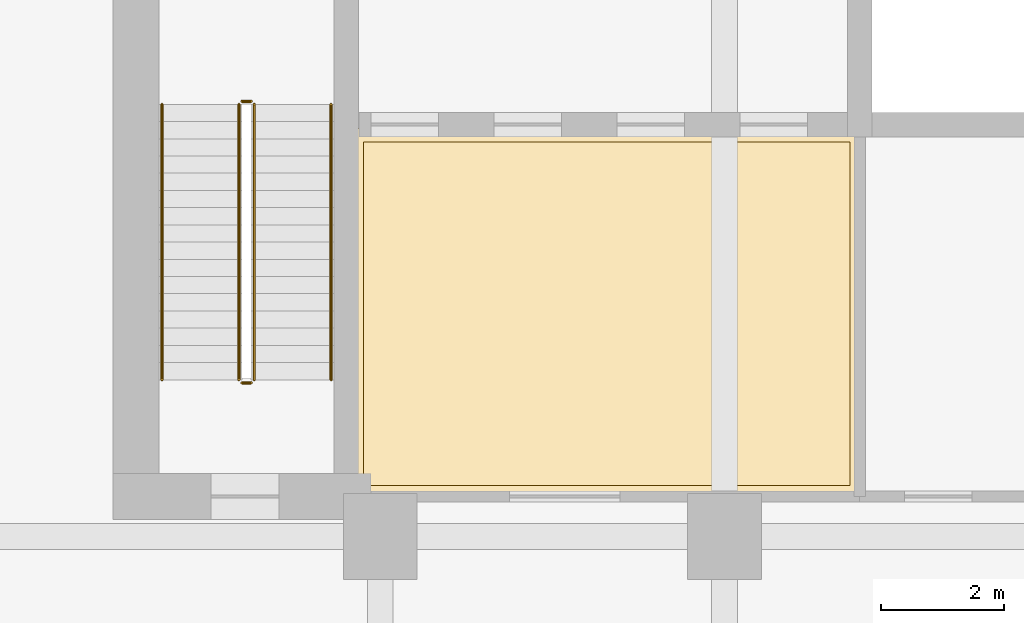
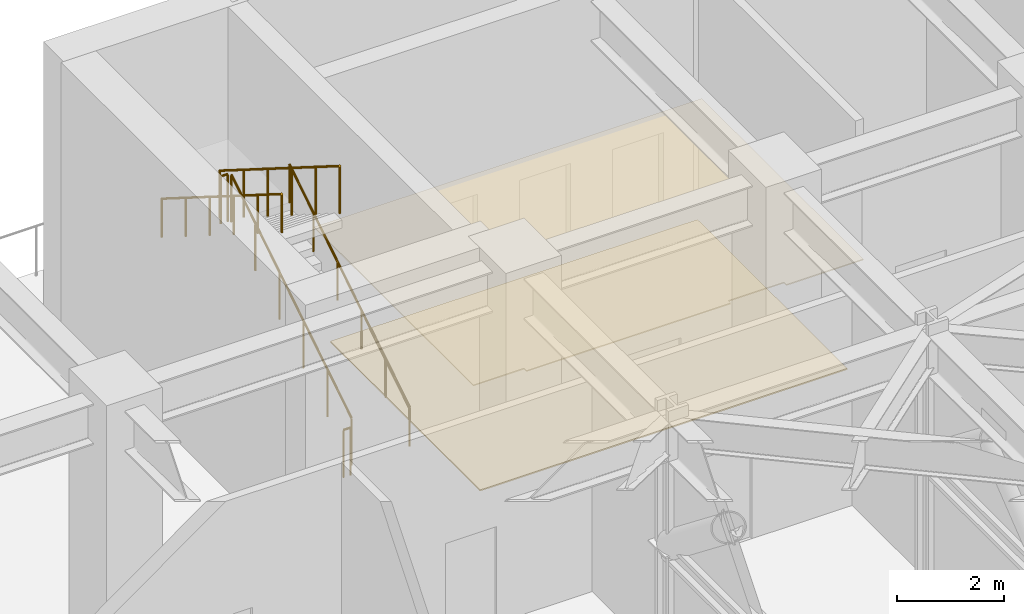
# One storey, part 10 of 12: 6 railings, 2 coverings.
"""IFC4 building model written with IfcOpenShell, lengths in metres."""

from ifc_helpers import new_model, si_unit, direction, frame, origin, origin_2d, place, context, subcontext, project, spatial, polyline, circle, outline, extrude, material, layer, layer_set, type_object, element, save


model = new_model("IFC4")

# Units and contexts
model_context = context("Model", 3, precision=1e-05, world=origin(), true_north=direction((0.0, 1.0)))
body_context = subcontext(model_context, "Body", "Model", "MODEL_VIEW")
ifc_project = project(units=[si_unit("LENGTHUNIT", "METRE"), si_unit("AREAUNIT", "SQUARE_METRE"), si_unit("VOLUMEUNIT", "CUBIC_METRE"), si_unit("PLANEANGLEUNIT", "RADIAN"), si_unit("MASSUNIT", "GRAM", prefix="KILO")], contexts=[model_context])

# Site, building, storey
site_placement = place(None, origin())
site = spatial("IfcSite", under=ifc_project, at=site_placement, CompositionType="ELEMENT")
building_placement = place(site_placement, origin())
building = spatial("IfcBuilding", under=site, at=building_placement, Name="Kravanh Interchange Tower", CompositionType="ELEMENT")
storey_placement = place(building_placement, frame((0.0, 0.0, 85.5)))
storey = spatial("IfcBuildingStorey", under=building, at=storey_placement, Name="L20", CompositionType="ELEMENT", Elevation=85.5)

# Coverings
ifc_material_1 = material(Name="Cementitious Terrazzo Tile")
ifc_layer_1 = layer(ifc_material_1, 0.030029296875)
ifc_layer_set_1 = layer_set([ifc_layer_1], Name="Honed Terrazzo Lobby Flooring 30mm")
covering_type_1 = type_object("IfcCoveringType", Name="Honed Terrazzo Lobby Flooring 30mm", PredefinedType="FLOORING", material=ifc_layer_set_1)
covering_1_placement = place(storey_placement, origin())
element("IfcCovering", 1, at=covering_1_placement, inside=storey, type_object=covering_type_1, Name="L20 Low-Rise Lift Lobby Floor Finish", PredefinedType="FLOORING", context=body_context, shape_type="SweptSolid", body=[
    extrude(outline(polyline([(26.929931640625, 43.77001953125), (34.840087890625, 43.77001953125), (34.840087890625, 38.179931640625), (26.929931640625, 38.179931640625), (26.929931640625, 43.77001953125)])), origin(), (0.0, 0.0, 1.0), 0.030029296875),
])
ifc_material_2 = material(Name="Acoustic Mineral Fibre Tile on Aluminium Grid", Category="aluminium")
ifc_layer_2 = layer(ifc_material_2, 0.02490234375)
ifc_layer_set_2 = layer_set([ifc_layer_2], Name="Perforated Acoustic Mineral Ceiling 25mm")
covering_type_2 = type_object("IfcCoveringType", Name="Perforated Acoustic Mineral Ceiling 25mm", PredefinedType="CEILING", material=ifc_layer_set_2)
covering_2_placement = place(storey_placement, frame((0.0, 0.0, 2.550048828125)))
element("IfcCovering", 2, at=covering_2_placement, inside=storey, type_object=covering_type_2, Name="L20 Low-Rise Lift Lobby Suspended Ceiling", PredefinedType="CEILING", context=body_context, shape_type="SweptSolid", body=[
    extrude(outline(polyline([(35.06005859375, 37.9599609375), (33.39990234375, 37.9599609375), (33.39990234375, 38.050048828125), (32.199951171875, 38.050048828125), (32.199951171875, 37.9599609375), (27.800048828125, 37.9599609375), (27.800048828125, 38.050048828125), (26.7099609375, 38.050048828125), (26.7099609375, 43.989990234375), (35.06005859375, 43.989990234375), (35.06005859375, 37.9599609375)])), origin(), (0.0, 0.0, 1.0), 0.02490234375),
])

# Railings
ifc_material_3 = material(Name="Structural Steel S355", Category="steel")
ifc_layer_3 = layer(ifc_material_3, 0.050048828125)
ifc_layer_set_3 = layer_set([ifc_layer_3], Name="Stair Well Guardrail Structural Steel S355 1100mm")
railing_type_1 = type_object("IfcRailingType", Name="Stair Well Guardrail Structural Steel S355 1100mm", PredefinedType="GUARDRAIL", material=ifc_layer_set_3)
railing_1_placement = place(storey_placement, frame((25.14990234375, 39.89990234375, 0.176513671875)))
element("IfcRailing", 3, at=railing_1_placement, inside=storey, type_object=railing_type_1, Name="L20 ST3 stair guard 1", PredefinedType="GUARDRAIL", context=body_context, shape_type="SweptSolid", body=[
    extrude(circle(Radius=0.02392578125, at=origin_2d()), frame((0.0, 0.0, 1.076171875), z_axis=(0.0, 0.845997938375, 0.533186166611), x_axis=(-1.0, 0.0, 0.0)), (0.0, 0.0, 1.0), 5.29541015625),
    extrude(circle(Radius=0.02099609375, at=origin_2d()), origin(), (0.0, 0.0, 1.0), 1.052001953125),
    extrude(circle(Radius=0.02099609375, at=origin_2d()), frame((0.0, 0.89599609375, 0.564697265625)), (0.0, 0.0, 1.0), 1.052001953125),
    extrude(circle(Radius=0.02099609375, at=origin_2d()), frame((0.0, 1.7919921875, 1.12939453125)), (0.0, 0.0, 1.0), 1.052001953125),
    extrude(circle(Radius=0.02099609375, at=origin_2d()), frame((0.0, 2.68798828125, 1.694091796875)), (0.0, 0.0, 1.0), 1.052001953125),
    extrude(circle(Radius=0.02099609375, at=origin_2d()), frame((0.0, 3.583984375, 2.2587890625)), (0.0, 0.0, 1.0), 1.052001953125),
    extrude(circle(Radius=0.02099609375, at=origin_2d()), frame((0.0, 4.47998046875, 2.823486328125)), (0.0, 0.0, 1.0), 1.052001953125),
])
railing_2_placement = place(storey_placement, frame((25.10009765625, 44.429931640625, 3.0)))
element("IfcRailing", 4, at=railing_2_placement, inside=storey, type_object=railing_type_1, Name="L20 ST3 stair guard 2", PredefinedType="GUARDRAIL", context=body_context, shape_type="SweptSolid", body=[
    extrude(circle(Radius=0.02392578125, at=origin_2d()), frame((0.0, 0.0, 1.076171875), z_axis=(-1.0, 0.0, 0.0), x_axis=(0.0, -1.0, 0.0)), (0.0, 0.0, 1.0), 0.150146484375),
    extrude(circle(Radius=0.02099609375, at=origin_2d()), origin(), (0.0, 0.0, 1.0), 1.052001953125),
    extrude(circle(Radius=0.02099609375, at=origin_2d()), frame((-0.150146484375, 0.0, 0.0)), (0.0, 0.0, 1.0), 1.052001953125),
])
railing_3_placement = place(storey_placement, frame((24.89990234375, 44.3798828125, 3.176513671875)))
element("IfcRailing", 5, at=railing_3_placement, inside=storey, type_object=railing_type_1, Name="L20 ST3 stair guard 3", PredefinedType="GUARDRAIL", context=body_context, shape_type="SweptSolid", body=[
    extrude(circle(Radius=0.02392578125, at=origin_2d()), frame((0.0, 0.0, 1.076171875), z_axis=(0.0, -0.845997938375, 0.533186166611), x_axis=(1.0, 0.0, 0.0)), (0.0, 0.0, 1.0), 5.29541015625),
    extrude(circle(Radius=0.02099609375, at=origin_2d()), origin(), (0.0, 0.0, 1.0), 1.052001953125),
    extrude(circle(Radius=0.02099609375, at=origin_2d()), frame((0.0, -0.89599609375, 0.564697265625)), (0.0, 0.0, 1.0), 1.052001953125),
    extrude(circle(Radius=0.02099609375, at=origin_2d()), frame((0.0, -1.7919921875, 1.12939453125)), (0.0, 0.0, 1.0), 1.052001953125),
    extrude(circle(Radius=0.02099609375, at=origin_2d()), frame((0.0, -2.68798828125, 1.694091796875)), (0.0, 0.0, 1.0), 1.052001953125),
    extrude(circle(Radius=0.02099609375, at=origin_2d()), frame((0.0, -3.583984375, 2.2587890625)), (0.0, 0.0, 1.0), 1.052001953125),
    extrude(circle(Radius=0.02099609375, at=origin_2d()), frame((0.0, -4.47998046875, 2.823486328125)), (0.0, 0.0, 1.0), 1.052001953125),
])
railing_4_placement = place(storey_placement, frame((25.10009765625, 39.85009765625, 0.0)))
element("IfcRailing", 6, at=railing_4_placement, inside=storey, type_object=railing_type_1, Name="L20 ST3 stair guard 4", PredefinedType="GUARDRAIL", context=body_context, shape_type="SweptSolid", body=[
    extrude(circle(Radius=0.02392578125, at=origin_2d()), frame((0.0, 0.0, 1.076171875), z_axis=(-1.0, 0.0, 0.0), x_axis=(0.0, -1.0, 0.0)), (0.0, 0.0, 1.0), 0.150146484375),
    extrude(circle(Radius=0.02099609375, at=origin_2d()), origin(), (0.0, 0.0, 1.0), 1.052001953125),
    extrude(circle(Radius=0.02099609375, at=origin_2d()), frame((-0.150146484375, 0.0, 0.0)), (0.0, 0.0, 1.0), 1.052001953125),
])
ifc_material_4 = material(Name="Stainless Steel 304", Category="steel")
ifc_layer_4 = layer(ifc_material_4, 0.044921875)
ifc_layer_set_4 = layer_set([ifc_layer_4], Name="Tubular Stair Handrail Stainless 304 900mm")
railing_type_2 = type_object("IfcRailingType", Name="Tubular Stair Handrail Stainless 304 900mm", PredefinedType="HANDRAIL", material=ifc_layer_set_4)
railing_5_placement = place(storey_placement, frame((26.39990234375, 39.89990234375, 0.176513671875)))
element("IfcRailing", 7, at=railing_5_placement, inside=storey, type_object=railing_type_2, Name="L20 ST3 stair handrail 1", PredefinedType="HANDRAIL", context=body_context, shape_type="SweptSolid", body=[
    extrude(circle(Radius=0.02392578125, at=origin_2d()), frame((0.0, 0.0, 0.8759765625), z_axis=(0.0, 0.845997938375, 0.533186166611), x_axis=(-1.0, 0.0, 0.0)), (0.0, 0.0, 1.0), 5.29541015625),
    extrude(circle(Radius=0.02099609375, at=origin_2d()), origin(), (0.0, 0.0, 1.0), 0.851806640625),
    extrude(circle(Radius=0.02099609375, at=origin_2d()), frame((0.0, 0.89599609375, 0.564697265625)), (0.0, 0.0, 1.0), 0.851806640625),
    extrude(circle(Radius=0.02099609375, at=origin_2d()), frame((0.0, 1.7919921875, 1.12939453125)), (0.0, 0.0, 1.0), 0.851806640625),
    extrude(circle(Radius=0.02099609375, at=origin_2d()), frame((0.0, 2.68798828125, 1.694091796875)), (0.0, 0.0, 1.0), 0.851806640625),
    extrude(circle(Radius=0.02099609375, at=origin_2d()), frame((0.0, 3.583984375, 2.2587890625)), (0.0, 0.0, 1.0), 0.851806640625),
    extrude(circle(Radius=0.02099609375, at=origin_2d()), frame((0.0, 4.47998046875, 2.823486328125)), (0.0, 0.0, 1.0), 0.851806640625),
])
railing_6_placement = place(storey_placement, frame((23.64990234375, 44.3798828125, 3.176513671875)))
element("IfcRailing", 8, at=railing_6_placement, inside=storey, type_object=railing_type_2, Name="L20 ST3 stair handrail 2", PredefinedType="HANDRAIL", context=body_context, shape_type="SweptSolid", body=[
    extrude(circle(Radius=0.02392578125, at=origin_2d()), frame((0.0, 0.0, 0.8759765625), z_axis=(0.0, -0.845997938375, 0.533186166611), x_axis=(1.0, 0.0, 0.0)), (0.0, 0.0, 1.0), 5.29541015625),
    extrude(circle(Radius=0.02099609375, at=origin_2d()), origin(), (0.0, 0.0, 1.0), 0.851806640625),
    extrude(circle(Radius=0.02099609375, at=origin_2d()), frame((0.0, -0.89599609375, 0.564697265625)), (0.0, 0.0, 1.0), 0.851806640625),
    extrude(circle(Radius=0.02099609375, at=origin_2d()), frame((0.0, -1.7919921875, 1.12939453125)), (0.0, 0.0, 1.0), 0.851806640625),
    extrude(circle(Radius=0.02099609375, at=origin_2d()), frame((0.0, -2.68798828125, 1.694091796875)), (0.0, 0.0, 1.0), 0.851806640625),
    extrude(circle(Radius=0.02099609375, at=origin_2d()), frame((0.0, -3.583984375, 2.2587890625)), (0.0, 0.0, 1.0), 0.851806640625),
    extrude(circle(Radius=0.02099609375, at=origin_2d()), frame((0.0, -4.47998046875, 2.823486328125)), (0.0, 0.0, 1.0), 0.851806640625),
])

save(model, "model.ifc")
